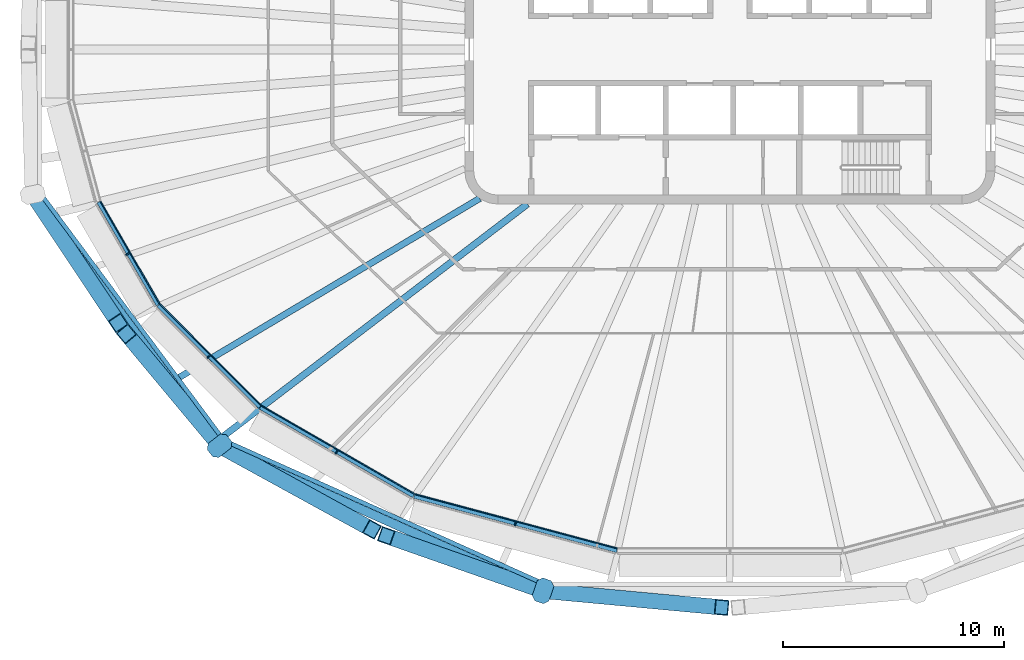
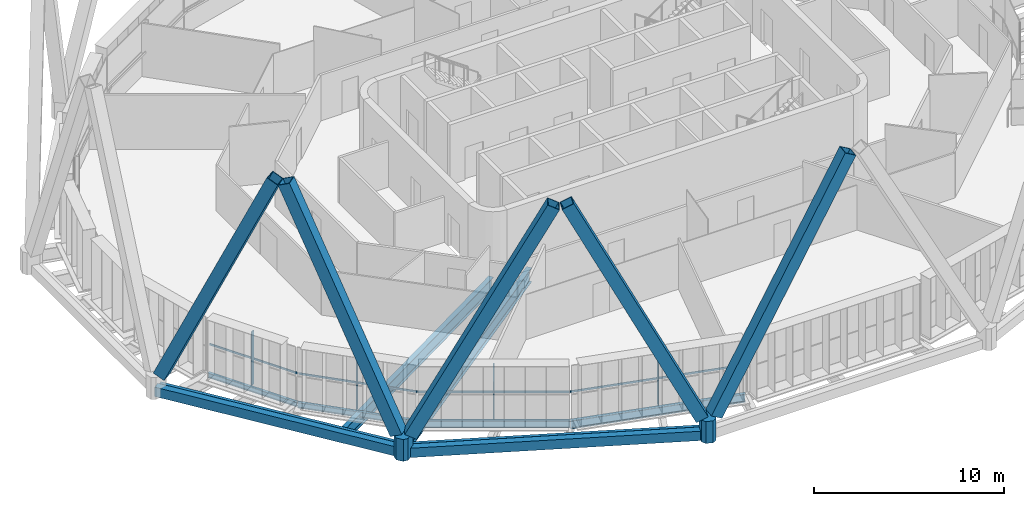
# One storey, part 1 of 20: 15 members, 10 beams, 4 elements without a shape of their own.
"""IFC4 building model written with IfcOpenShell, lengths in metres."""

import ifcopenshell
import ifcopenshell.guid

model = None  # the IFC model being written
_history = None  # IfcOwnerHistory: only IFC2X3 demands one
_inside = {}  # id of a spatial element -> (the spatial element, [elements in it])
_under = {}  # id of a project, library or spatial element -> (it, [spatial elements below it])
_declared = {}  # id of a project -> (the project, [libraries it declares])
_typed = {}  # id of a type object -> (the type object, [elements of that type])
_made_of = {}  # id of a material, layer set ... -> (it, [elements and type objects made of it])


def new_model(schema):
    """Start an empty IFC model of exactly this schema.

    Asked for "IFC4X3", IfcOpenShell would pick the latest addendum, in which some entities
    have other attributes; the version numbers below select the first issue.
    IFC2X3 requires an IfcOwnerHistory on every rooted entity: one is made here for all.
    """
    global model, _history
    if schema == "IFC4X3":
        model = ifcopenshell.file(schema_version=(4, 3, 0, 0))
    else:
        model = ifcopenshell.file(schema=schema)
    _inside.clear()
    _under.clear()
    _declared.clear()
    _typed.clear()
    _made_of.clear()
    _history = None
    if model.schema == "IFC2X3":
        org = make("IfcOrganization", Name="unknown")
        user = make(
            "IfcPersonAndOrganization",
            ThePerson=make("IfcPerson", FamilyName="unknown"),
            TheOrganization=org,
        )
        app = make(
            "IfcApplication",
            ApplicationDeveloper=org,
            Version="unknown",
            ApplicationFullName="unknown",
            ApplicationIdentifier="unknown",
        )
        _history = make(
            "IfcOwnerHistory",
            OwningUser=user,
            OwningApplication=app,
            ChangeAction="ADDED",
            CreationDate=0,
        )
    return model


def make(cls, **values):
    """One entity of the class cls with the attributes given. An attribute that is None is left unset."""
    return model.create_entity(
        cls, **{name: value for name, value in values.items() if value is not None}
    )


def rooted(cls, **values):
    """An entity with a GlobalId (a new one), such as an element, a storey or a relation."""
    return make(cls, GlobalId=ifcopenshell.guid.new(), OwnerHistory=_history, **values)


def si_unit(unit_type, name, prefix=None):
    """IfcSIUnit, for example si_unit("LENGTHUNIT", "METRE", prefix="MILLI")."""
    return make("IfcSIUnit", UnitType=unit_type, Prefix=prefix, Name=name)


def assignment(units):
    """IfcUnitAssignment: the units of a project."""
    return None if units is None else make("IfcUnitAssignment", Units=units)


def point(xyz):
    """IfcCartesianPoint."""
    return None if xyz is None else make("IfcCartesianPoint", Coordinates=xyz)


def direction(xyz):
    """IfcDirection."""
    return None if xyz is None else make("IfcDirection", DirectionRatios=xyz)


def frame(location, z_axis=None, x_axis=None):
    """IfcAxis2Placement3D, a coordinate frame: its origin and axes. An axis left out is left unset."""
    return make(
        "IfcAxis2Placement3D",
        Location=point(location),
        Axis=direction(z_axis),
        RefDirection=direction(x_axis),
    )


def frame_2d(location, x_axis=None):
    """IfcAxis2Placement2D, a coordinate frame in the plane: its origin and x axis."""
    return make(
        "IfcAxis2Placement2D", Location=point(location), RefDirection=direction(x_axis)
    )


def origin():
    """The frame at (0, 0, 0) with its axes left unset."""
    return frame((0.0, 0.0, 0.0))


def origin_2d():
    """The frame at (0, 0) in the plane with its x axis left unset."""
    return frame_2d((0.0, 0.0))


def place(relative_to, where):
    """IfcLocalPlacement: puts the frame where relative to a parent placement (None: the world)."""
    return make(
        "IfcLocalPlacement", PlacementRelTo=relative_to, RelativePlacement=where
    )


def context(
    kind, dimensions, precision=None, world=None, true_north=None, identifier=None
):
    """IfcGeometricRepresentationContext, for example the 3D "Model" context."""
    return make(
        "IfcGeometricRepresentationContext",
        ContextIdentifier=identifier,
        ContextType=kind,
        CoordinateSpaceDimension=dimensions,
        Precision=precision,
        WorldCoordinateSystem=world,
        TrueNorth=true_north,
    )


def subcontext(parent, identifier, kind, view, scale=None):
    """IfcGeometricRepresentationSubContext, for example "Body" below "Model"."""
    return make(
        "IfcGeometricRepresentationSubContext",
        ContextIdentifier=identifier,
        ContextType=kind,
        ParentContext=parent,
        TargetScale=scale,
        TargetView=view,
    )


def project(units=None, contexts=None):
    """IfcProject with its units and contexts."""
    return rooted(
        "IfcProject",
        Name="project",
        RepresentationContexts=contexts,
        UnitsInContext=assignment(units),
    )


def spatial(cls, under=None, at=None, **own):
    """A site, building, storey or space (cls), placed at a placement, below another one or the project."""
    s = rooted(cls, ObjectPlacement=at, **own)
    if under is not None:
        _under.setdefault(under.id(), (under, []))[1].append(s)
    return s


def polyline(points):
    """IfcPolyline through the points."""
    return make("IfcPolyline", Points=[point(p) for p in points])


def profile(cls, at=None, kind="AREA", **sizes):
    """A parametric profile (cls). Its sizes go by their IFC names, for example OverallWidth=200.0."""
    return make(cls, ProfileType=kind, Position=at, **sizes)


def rectangle(**sizes):
    """IfcRectangleProfileDef."""
    return profile("IfcRectangleProfileDef", **sizes)


def hollow_rectangle(**sizes):
    """IfcRectangleHollowProfileDef."""
    return profile("IfcRectangleHollowProfileDef", **sizes)


def i_section(**sizes):
    """IfcIShapeProfileDef."""
    return profile("IfcIShapeProfileDef", **sizes)


def outline(outer, holes=None, kind="AREA"):
    """IfcArbitraryClosedProfileDef: a profile drawn as a closed curve; with holes, ...WithVoids."""
    if holes is None:
        return make("IfcArbitraryClosedProfileDef", ProfileType=kind, OuterCurve=outer)
    return make(
        "IfcArbitraryProfileDefWithVoids",
        ProfileType=kind,
        OuterCurve=outer,
        InnerCurves=holes,
    )


def extrude(swept, where, along, depth):
    """IfcExtrudedAreaSolid: the profile swept, set in the frame where, extruded along a direction by depth."""
    return make(
        "IfcExtrudedAreaSolid",
        SweptArea=swept,
        Position=where,
        ExtrudedDirection=direction(along),
        Depth=depth,
    )


def shape(context_of_items, identifier, shape_type, items):
    """IfcShapeRepresentation: the items that make up one representation, for example the "Body"."""
    return make(
        "IfcShapeRepresentation",
        ContextOfItems=context_of_items,
        RepresentationIdentifier=identifier,
        RepresentationType=shape_type,
        Items=items,
    )


def material(Name=None, Category=None):
    """IfcMaterial."""
    return make("IfcMaterial", Name=Name, Category=Category)


def layer(
    of_material, thickness, ventilated=None, Name=None, Category=None, Priority=None
):
    """IfcMaterialLayer: one layer of a wall or slab, of a material (None: an air gap)."""
    return make(
        "IfcMaterialLayer",
        Material=of_material,
        LayerThickness=thickness,
        IsVentilated=ventilated,
        Name=Name,
        Category=Category,
        Priority=Priority,
    )


def layer_set(layers, Name=None):
    """IfcMaterialLayerSet."""
    return make("IfcMaterialLayerSet", MaterialLayers=layers, LayerSetName=Name)


def material_profile(
    of_material, cross_section, Name=None, Category=None, Priority=None
):
    """IfcMaterialProfile: a cross section and its material."""
    return make(
        "IfcMaterialProfile",
        Name=Name,
        Material=of_material,
        Profile=cross_section,
        Priority=Priority,
        Category=Category,
    )


def profile_set(profiles, Name=None, composite=None):
    """IfcMaterialProfileSet."""
    return make(
        "IfcMaterialProfileSet",
        Name=Name,
        MaterialProfiles=profiles,
        CompositeProfile=composite,
    )


def made_of(thing, what):
    """Note that an element or type object is made of a material, layer set ...; save() writes the relation."""
    if what is not None:
        _made_of.setdefault(what.id(), (what, []))[1].append(thing)
    return thing


def type_object(cls, material=None, **own):
    """A type object (cls), such as IfcWallType, which elements share."""
    return made_of(rooted(cls, **own), material)


def element(
    cls,
    number,
    at=None,
    inside=None,
    cuts=None,
    type_object=None,
    material=None,
    context=None,
    identifier="Body",
    shape_type=None,
    held_by="IfcProductDefinitionShape",
    body=None,
    shapes=None,
    **own,
):
    """One element of the class cls, such as IfcWall. Its Tag is "e" and its number.

    at: its placement. inside: the storey or other place that contains it. cuts: it is an
    opening in that element (IfcRelVoidsElement). A single representation is given by context,
    identifier, shape_type and body (its items); several are given by shapes. held_by: the class
    of the entity that holds the representations. save() writes the other relations.
    """
    e = rooted(cls, Tag="e%d" % number, ObjectPlacement=at, **own)
    if body is not None:
        shapes = [shape(context, identifier, shape_type, body)]
    if shapes is not None:
        e.Representation = make(held_by, Representations=shapes)
    if inside is not None:
        _inside.setdefault(inside.id(), (inside, []))[1].append(e)
    if cuts is not None:
        rooted(
            "IfcRelVoidsElement", RelatingBuildingElement=cuts, RelatedOpeningElement=e
        )
    if type_object is not None:
        _typed.setdefault(type_object.id(), (type_object, []))[1].append(e)
    return made_of(e, material)


def aggregate(whole, parts):
    """IfcRelAggregates: a whole, such as a stair, and the parts it consists of."""
    return rooted("IfcRelAggregates", RelatingObject=whole, RelatedObjects=parts)


def save(model, path):
    """Write the relations noted so far, then the file.

    IfcRelAggregates (storeys below a building ...), IfcRelContainedInSpatialStructure (elements
    in a storey), IfcRelDefinesByType, IfcRelAssociatesMaterial and IfcRelDeclares: one each for
    every whole, place, type object, material and project.
    """
    for whole, parts in _under.values():
        aggregate(whole, parts)
    for where, things in _inside.values():
        rooted(
            "IfcRelContainedInSpatialStructure",
            RelatedElements=things,
            RelatingStructure=where,
        )
    for kind, things in _typed.values():
        rooted("IfcRelDefinesByType", RelatedObjects=things, RelatingType=kind)
    for what, things in _made_of.values():
        rooted("IfcRelAssociatesMaterial", RelatedObjects=things, RelatingMaterial=what)
    for by, libraries in _declared.values():
        rooted("IfcRelDeclares", RelatingContext=by, RelatedDefinitions=libraries)
    model.write(path)


model = new_model("IFC4")

# Units and contexts
model_context = context("Model", 3, precision=1e-05, world=origin(), true_north=direction((0.0, 1.0)))
body_context = subcontext(model_context, "Body", "Model", "MODEL_VIEW")
ifc_project = project(units=[si_unit("LENGTHUNIT", "METRE"), si_unit("AREAUNIT", "SQUARE_METRE"), si_unit("VOLUMEUNIT", "CUBIC_METRE"), si_unit("PLANEANGLEUNIT", "RADIAN"), si_unit("MASSUNIT", "GRAM", prefix="KILO")], contexts=[model_context])

# Site, building, storey
site_placement = place(None, origin())
site = spatial("IfcSite", under=ifc_project, at=site_placement, CompositionType="ELEMENT")
building_placement = place(site_placement, origin())
building = spatial("IfcBuilding", under=site, at=building_placement, Name="Sahrelin Media Tower", CompositionType="ELEMENT")
storey_placement = place(building_placement, frame((0.0, 0.0, 267.0)))
storey = spatial("IfcBuildingStorey", under=building, at=storey_placement, Name="L58", CompositionType="ELEMENT", Elevation=267.0)

# Members
ifc_material_1 = material(Name="Steel S460", Category="steel")
ifc_material_profile_1 = material_profile(ifc_material_1, hollow_rectangle(XDim=0.699951171875, YDim=0.699951171875, WallThickness=0.0400390625, at=origin_2d()), Name="Diagrid diagonal DG7")
ifc_profile_set_1 = profile_set([ifc_material_profile_1], Name="Steel S460")
member_type_1 = type_object("IfcMemberType", Name="Diagrid diagonal DG7", PredefinedType="BRACE", material=ifc_profile_set_1)
member_1_placement = place(storey_placement, frame((-31.37353515625, -6.832275390625, 0.699951171875), z_axis=(0.230056417556, -0.345639877226, 0.909729146511), x_axis=(0.832461543053, 0.554082827146, 0.0)))
element("IfcMember", 1, at=member_1_placement, inside=storey, type_object=member_type_1, Name="Diagrid diagonal D13-13", PredefinedType="BRACE", context=body_context, shape_type="SweptSolid", body=[
    extrude(hollow_rectangle(XDim=0.699951171875, YDim=0.699951171875, WallThickness=0.0400390625, at=origin_2d()), origin(), (0.0, 0.0, 1.0), 16.048828125),
])
member_2_placement = place(storey_placement, frame((-23.28955078125, -17.7080078125, 0.699951171875), z_axis=(-0.253020215996, 0.303919147392, 0.918484579155), x_axis=(-0.768526802736, -0.639817593909, 0.0)))
element("IfcMember", 2, at=member_2_placement, inside=storey, type_object=member_type_1, Name="Diagrid diagonal D13-14", PredefinedType="BRACE", context=body_context, shape_type="SweptSolid", body=[
    extrude(hollow_rectangle(XDim=0.699951171875, YDim=0.699951171875, WallThickness=0.0400390625, at=origin_2d()), origin(), (0.0, 0.0, 1.0), 15.895751953125),
])
member_3_placement = place(storey_placement, frame((-22.781005859375, -18.11279296875, 0.699951171875), z_axis=(0.401082737741, -0.220220071499, 0.889177011396), x_axis=(0.481288676919, 0.876562153797, 0.0)))
element("IfcMember", 3, at=member_3_placement, inside=storey, type_object=member_type_1, Name="Diagrid diagonal D13-15", PredefinedType="BRACE", context=body_context, shape_type="SweptSolid", body=[
    extrude(hollow_rectangle(XDim=0.699951171875, YDim=0.699951171875, WallThickness=0.0400390625, at=origin_2d()), origin(), (0.0, 0.0, 1.0), 16.419677734375),
])
member_4_placement = place(storey_placement, frame((-8.77880859375, -24.391845703125, 0.699951171875), z_axis=(-0.416459406995, 0.146017384502, 0.897351929707), x_axis=(-0.330868348448, -0.943676923526, 0.0)))
element("IfcMember", 4, at=member_4_placement, inside=storey, type_object=member_type_1, Name="Diagrid diagonal D13-16", PredefinedType="BRACE", context=body_context, shape_type="SweptSolid", body=[
    extrude(hollow_rectangle(XDim=0.699951171875, YDim=0.699951171875, WallThickness=0.0400390625, at=origin_2d()), origin(), (0.0, 0.0, 1.0), 16.270263671875),
])
member_5_placement = place(storey_placement, frame((-8.083984375, -24.5400390625, 0.699951171875), z_axis=(0.466722756786, -0.043323665084, 0.883341909083), x_axis=(0.092427918345, 0.995719378093, 0.0)))
element("IfcMember", 5, at=member_5_placement, inside=storey, type_object=member_type_1, Name="Diagrid diagonal D13-17", PredefinedType="BRACE", context=body_context, shape_type="SweptSolid", body=[
    extrude(hollow_rectangle(XDim=0.699951171875, YDim=0.699951171875, WallThickness=0.0400390625, at=origin_2d()), origin(), (0.0, 0.0, 1.0), 16.5283203125),
])
ifc_material_profile_2 = material_profile(ifc_material_1, outline(polyline([(0.35009765625, -0.39990234375), (0.550048828125, -0.199951171875), (0.550048828125, 0.199951171875), (0.35009765625, 0.39990234375), (-0.35009765625, 0.39990234375), (-0.550048828125, 0.199951171875), (-0.550048828125, -0.199951171875), (-0.35009765625, -0.39990234375), (0.35009765625, -0.39990234375)])), Name="Diagrid node block 1100")
ifc_profile_set_2 = profile_set([ifc_material_profile_2], Name="Steel S460")
member_type_2 = type_object("IfcMemberType", Name="Diagrid node block 1100", PredefinedType="USERDEFINED", material=ifc_profile_set_2)
for number, where, z_axis, x_axis, name in (
    (6, (-23.0966796875, -17.939453125, -0.699951171875), (0.0, 0.0, 1.0), (-0.789760120156, -0.613415807272, 0.0), "Diagrid node N13-07"),
    (7, (-8.4541015625, -24.505859375, -0.699951171875), (0.0, 0.0, 1.0), (-0.326119279679, -0.945328628267, 0.0), "Diagrid node N13-08"),
):
    element("IfcMember", number, at=place(storey_placement, frame(where, z_axis=z_axis, x_axis=x_axis)), inside=storey, type_object=member_type_2, Name=name, ObjectType="NODE", PredefinedType="USERDEFINED", context=body_context, shape_type="SweptSolid", body=[
        extrude(outline(polyline([(0.35009765625, -0.39990234375), (0.550048828125, -0.199951171875), (0.550048828125, 0.199951171875), (0.35009765625, 0.39990234375), (-0.35009765625, 0.39990234375), (-0.550048828125, 0.199951171875), (-0.550048828125, -0.199951171875), (-0.35009765625, -0.39990234375), (0.35009765625, -0.39990234375)])), origin(), (0.0, 0.0, 1.0), 1.39990234375),
    ])

# Beams
ifc_material_profile_3 = material_profile(ifc_material_1, hollow_rectangle(XDim=0.39990234375, YDim=0.60009765625, WallThickness=0.030029296875, at=origin_2d()), Name="Diagrid ring beam RB1")
ifc_profile_set_3 = profile_set([ifc_material_profile_3], Name="Steel S460")
beam_type_1 = type_object("IfcBeamType", Name="Diagrid ring beam RB1", PredefinedType="BEAM", material=ifc_profile_set_3)
beam_1_placement = place(storey_placement, frame((-31.550537109375, -6.56640625, -0.449951171875), z_axis=(0.596565361307, -0.802564495657, 0.0), x_axis=(0.802564495657, 0.596565361307, 0.0)))
element("IfcBeam", 8, at=beam_1_placement, inside=storey, type_object=beam_type_1, Name="Diagrid ring beam RB13-06", PredefinedType="BEAM", context=body_context, shape_type="SweptSolid", body=[
    extrude(hollow_rectangle(XDim=0.39990234375, YDim=0.60009765625, WallThickness=0.030029296875, at=origin_2d()), origin(), (0.0, 0.0, 1.0), 14.1708984375),
])
beam_2_placement = place(storey_placement, frame((-23.0966796875, -17.939453125, -0.449951171875), z_axis=(0.912451353014, -0.409185200591, 0.0), x_axis=(0.409185200591, 0.912451353014, 0.0)))
element("IfcBeam", 9, at=beam_2_placement, inside=storey, type_object=beam_type_1, Name="Diagrid ring beam RB13-07", PredefinedType="BEAM", context=body_context, shape_type="SweptSolid", body=[
    extrude(hollow_rectangle(XDim=0.39990234375, YDim=0.60009765625, WallThickness=0.030029296875, at=origin_2d()), origin(), (0.0, 0.0, 1.0), 16.047607421875),
])
ifc_material_2 = material(Name="Steel S355", Category="steel")
ifc_material_profile_4 = material_profile(ifc_material_2, i_section(OverallWidth=0.1650390625, OverallDepth=0.303466796875, WebThickness=0.006103515625, FlangeThickness=0.01025390625, FilletRadius=0.0087890625, at=origin_2d()), Name="UB 305x165x40")
ifc_profile_set_4 = profile_set([ifc_material_profile_4], Name="Steel S355")
beam_type_2 = type_object("IfcBeamType", Name="Edge beam EB2", PredefinedType="BEAM", material=ifc_profile_set_4)
beam_3_placement = place(storey_placement, frame((-25.882568359375, -11.572021484375, -0.3017578125), z_axis=(-0.500009192644, 0.866020096344, 0.0), x_axis=(-0.866020096344, -0.500009192644, 0.0)))
element("IfcBeam", 10, at=beam_3_placement, inside=storey, type_object=beam_type_2, Name="Edge beam L58-08", PredefinedType="BEAM", context=body_context, shape_type="SweptSolid", body=[
    extrude(i_section(OverallWidth=0.1650390625, OverallDepth=0.303466796875, WebThickness=0.006103515625, FlangeThickness=0.01025390625, FilletRadius=0.0087890625, at=origin_2d()), origin(), (0.0, 0.0, 1.0), 5.38037109375),
])
ifc_material_profile_5 = material_profile(ifc_material_2, i_section(OverallWidth=0.17138671875, OverallDepth=0.35498046875, WebThickness=0.00732421875, FlangeThickness=0.011474609375, FilletRadius=0.01025390625, at=origin_2d()), Name="UB 356x171x51")
ifc_profile_set_5 = profile_set([ifc_material_profile_5], Name="Steel S355")
beam_type_3 = type_object("IfcBeamType", Name="Edge beam EB3", PredefinedType="BEAM", material=ifc_profile_set_5)
beam_4_placement = place(storey_placement, frame((-21.2763671875, -16.18359375, -0.327392578125), z_axis=(-0.707087970402, 0.70712559147, 0.0), x_axis=(-0.70712559147, -0.707087970402, 0.0)))
element("IfcBeam", 11, at=beam_4_placement, inside=storey, type_object=beam_type_3, Name="Edge beam L58-07", PredefinedType="BEAM", context=body_context, shape_type="SweptSolid", body=[
    extrude(i_section(OverallWidth=0.17138671875, OverallDepth=0.35498046875, WebThickness=0.00732421875, FlangeThickness=0.011474609375, FilletRadius=0.01025390625, at=origin_2d()), origin(), (0.0, 0.0, 1.0), 6.489501953125),
])
ifc_material_profile_6 = material_profile(ifc_material_2, i_section(OverallWidth=0.1904296875, OverallDepth=0.45703125, WebThickness=0.009033203125, FlangeThickness=0.014404296875, FilletRadius=0.01025390625, at=origin_2d()), Name="UB 457x191x74")
ifc_profile_set_6 = profile_set([ifc_material_profile_6], Name="Steel S355")
beam_type_4 = type_object("IfcBeamType", Name="Edge beam EB5", PredefinedType="BEAM", material=ifc_profile_set_6)
beam_5_placement = place(storey_placement, frame((-14.318115234375, -20.205078125, -0.37841796875), z_axis=(-0.866022619654, 0.500004822225, 0.0), x_axis=(-0.500004822225, -0.866022619654, 0.0)))
element("IfcBeam", 12, at=beam_5_placement, inside=storey, type_object=beam_type_4, Name="Edge beam L58-06", PredefinedType="BEAM", context=body_context, shape_type="SweptSolid", body=[
    extrude(i_section(OverallWidth=0.1904296875, OverallDepth=0.45703125, WebThickness=0.009033203125, FlangeThickness=0.014404296875, FilletRadius=0.01025390625, at=origin_2d()), origin(), (0.0, 0.0, 1.0), 8.00830078125),
])
ifc_material_profile_7 = material_profile(ifc_material_2, i_section(OverallWidth=0.208740234375, OverallDepth=0.5283203125, WebThickness=0.009521484375, FlangeThickness=0.01318359375, FilletRadius=0.0126953125, at=origin_2d()), Name="UB 533x210x82")
ifc_profile_set_7 = profile_set([ifc_material_profile_7], Name="Steel S355")
beam_type_5 = type_object("IfcBeamType", Name="Edge beam EB6", PredefinedType="BEAM", material=ifc_profile_set_7)
beam_6_placement = place(storey_placement, frame((-5.1103515625, -22.67626953125, -0.4140625), z_axis=(-0.965929019762, 0.258807126605, 0.0), x_axis=(-0.258807126605, -0.965929019762, 0.0)))
element("IfcBeam", 13, at=beam_6_placement, inside=storey, type_object=beam_type_5, Name="Edge beam L58-05", PredefinedType="BEAM", context=body_context, shape_type="SweptSolid", body=[
    extrude(i_section(OverallWidth=0.208740234375, OverallDepth=0.5283203125, WebThickness=0.009521484375, FlangeThickness=0.01318359375, FilletRadius=0.0126953125, at=origin_2d()), origin(), (0.0, 0.0, 1.0), 9.5048828125),
])

# Curtain wall, member
ifc_material_3 = material(Name="Champagne anodised aluminium 6063-T6", Category="aluminium")
ifc_layer = layer(ifc_material_3, 0.14990234375)
ifc_layer_set = layer_set([ifc_layer], Name="Tower ribbon curtain wall")
curtain_wall_type = type_object("IfcCurtainWallType", Name="Tower ribbon curtain wall", PredefinedType="NOTDEFINED", material=ifc_layer_set)
curtain_wall_1_placement = place(storey_placement, frame((-27.357666015625, -9.3173828125, 0.0), z_axis=(0.0, 0.0, 1.0), x_axis=(1.0, 0.0, 0.0)))
curtain_wall_1 = element("IfcCurtainWall", 14, at=curtain_wall_1_placement, inside=storey, type_object=curtain_wall_type, Name="L58:CW:L58-14", PredefinedType="NOTDEFINED")
ifc_material_profile_8 = material_profile(ifc_material_3, rectangle(XDim=0.06005859375, YDim=0.199951171875, at=origin_2d()), Name="Mullion 60x200")
ifc_profile_set_8 = profile_set([ifc_material_profile_8], Name="Champagne anodised aluminium 6063-T6")
member_type_3 = type_object("IfcMemberType", Name="Mullion 60x200 CW1C", PredefinedType="MULLION", material=ifc_profile_set_8)
member_6_placement = place(storey_placement, frame((-27.253662109375, -9.257080078125, 0.0), z_axis=(0.0, 0.0, 1.0), x_axis=(0.500007557478, -0.866021040428, 0.0)))
member_6 = element("IfcMember", 15, at=member_6_placement, type_object=member_type_3, Name="L58:CWM:L58-14", PredefinedType="MULLION", context=body_context, shape_type="SweptSolid", body=[
    extrude(rectangle(XDim=0.06005859375, YDim=0.199951171875, at=origin_2d()), origin(), (0.0, 0.0, 1.0), 3.448486328125),
])

curtain_wall_2_placement = place(storey_placement, frame((-23.6767578125, -13.9951171875, 0.0), z_axis=(0.0, 0.0, 1.0), x_axis=(1.0, 0.0, 0.0)))
curtain_wall_2 = element("IfcCurtainWall", 16, at=curtain_wall_2_placement, inside=storey, type_object=curtain_wall_type, Name="L58:CW:L58-15", PredefinedType="NOTDEFINED")
member_7_placement = place(storey_placement, frame((-23.591796875, -13.910400390625, 0.0), z_axis=(0.0, 0.0, 1.0), x_axis=(0.707106781187, -0.707106781187, 0.0)))
member_7 = element("IfcMember", 17, at=member_7_placement, type_object=member_type_3, Name="L58:CWM:L58-15", PredefinedType="MULLION", context=body_context, shape_type="SweptSolid", body=[
    extrude(rectangle(XDim=0.06005859375, YDim=0.199951171875, at=origin_2d()), origin(), (0.0, 0.0, 1.0), 3.448486328125),
])

curtain_wall_3_placement = place(storey_placement, frame((-17.86083984375, -18.3330078125, 0.0), z_axis=(0.0, 0.0, 1.0), x_axis=(1.0, 0.0, 0.0)))
curtain_wall_3 = element("IfcCurtainWall", 18, at=curtain_wall_3_placement, inside=storey, type_object=curtain_wall_type, Name="L58:CW:L58-16", PredefinedType="NOTDEFINED")
member_8_placement = place(storey_placement, frame((-17.80078125, -18.22900390625, 0.0), z_axis=(0.0, 0.0, 1.0), x_axis=(0.866025403784, -0.5, 0.0)))
member_8 = element("IfcMember", 19, at=member_8_placement, type_object=member_type_3, Name="L58:CWM:L58-16", PredefinedType="MULLION", context=body_context, shape_type="SweptSolid", body=[
    extrude(rectangle(XDim=0.06005859375, YDim=0.199951171875, at=origin_2d()), origin(), (0.0, 0.0, 1.0), 3.448486328125),
])

curtain_wall_4_placement = place(storey_placement, frame((-9.73974609375, -21.59130859375, 0.0), z_axis=(0.0, 0.0, 1.0), x_axis=(1.0, 0.0, 0.0)))
curtain_wall_4 = element("IfcCurtainWall", 20, at=curtain_wall_4_placement, inside=storey, type_object=curtain_wall_type, Name="L58:CW:L58-17", PredefinedType="NOTDEFINED")
member_9_placement = place(storey_placement, frame((-9.708740234375, -21.47509765625, 0.0), z_axis=(0.0, 0.0, 1.0), x_axis=(0.965924922834, -0.258822416818, 0.0)))
member_9 = element("IfcMember", 21, at=member_9_placement, type_object=member_type_3, Name="L58:CWM:L58-17", PredefinedType="MULLION", context=body_context, shape_type="SweptSolid", body=[
    extrude(rectangle(XDim=0.06005859375, YDim=0.199951171875, at=origin_2d()), origin(), (0.0, 0.0, 1.0), 3.448486328125),
])

# Beams
ifc_material_profile_9 = material_profile(ifc_material_2, i_section(OverallWidth=0.30322265625, OverallDepth=0.903076171875, WebThickness=0.01513671875, FlangeThickness=0.020263671875, FilletRadius=0.01904296875, at=origin_2d()), Name="UB 914x305x201")
ifc_profile_set_9 = profile_set([ifc_material_profile_9], Name="Steel S355")
beam_type_6 = type_object("IfcBeamType", Name="Radial primary beam PB11", PredefinedType="BEAM", material=ifc_profile_set_9)
beam_7_placement = place(storey_placement, frame((-9.16455078125, -7.0, -0.6015625), z_axis=(-0.794694720447, -0.607009309067, 0.0), x_axis=(0.607009309067, -0.794694720447, 0.0)))
element("IfcBeam", 22, at=beam_7_placement, inside=storey, type_object=beam_type_6, Name="Radial beam L58-16", PredefinedType="BEAM", context=body_context, shape_type="SweptSolid", body=[
    extrude(i_section(OverallWidth=0.30322265625, OverallDepth=0.903076171875, WebThickness=0.01513671875, FlangeThickness=0.020263671875, FilletRadius=0.01904296875, at=origin_2d()), origin(), (0.0, 0.0, 1.0), 17.313720703125),
])
ifc_material_profile_10 = material_profile(ifc_material_2, i_section(OverallWidth=0.291748046875, OverallDepth=0.8349609375, WebThickness=0.013916015625, FlangeThickness=0.018798828125, FilletRadius=0.017822265625, at=origin_2d()), Name="UB 838x292x176")
ifc_profile_set_10 = profile_set([ifc_material_profile_10], Name="Steel S355")
beam_type_7 = type_object("IfcBeamType", Name="Radial secondary beam SB10", PredefinedType="BEAM", material=ifc_profile_set_10)
beam_8_placement = place(storey_placement, frame((-11.32177734375, -6.743896484375, -0.5673828125), z_axis=(-0.859123060499, -0.511769056234, 0.0), x_axis=(0.511769056234, -0.859123060499, 0.0)))
element("IfcBeam", 23, at=beam_8_placement, inside=storey, type_object=beam_type_7, Name="Secondary beam L58-15", PredefinedType="BEAM", context=body_context, shape_type="SweptSolid", body=[
    extrude(i_section(OverallWidth=0.291748046875, OverallDepth=0.8349609375, WebThickness=0.013916015625, FlangeThickness=0.018798828125, FilletRadius=0.017822265625, at=origin_2d()), origin(), (0.0, 0.0, 1.0), 15.815673828125),
])
ifc_material_profile_11 = material_profile(ifc_material_2, i_section(OverallWidth=0.1904296875, OverallDepth=0.45703125, WebThickness=0.009033203125, FlangeThickness=0.014404296875, FilletRadius=0.01025390625, at=origin_2d()), Name="UB 457x191x74")
ifc_profile_set_11 = profile_set([ifc_material_profile_11], Name="Steel S355")
beam_type_8 = type_object("IfcBeamType", Name="Tie chord TC5", PredefinedType="BEAM", material=ifc_profile_set_11)
beam_9_placement = place(storey_placement, frame((-8.389892578125, -24.20556640625, -0.37841796875), z_axis=(-0.91245379845, 0.409179747414, 0.0), x_axis=(-0.409179747414, -0.91245379845, 0.0)))
element("IfcBeam", 24, at=beam_9_placement, inside=storey, type_object=beam_type_8, Name="Tie chord L58-05", PredefinedType="BEAM", context=body_context, shape_type="SweptSolid", body=[
    extrude(i_section(OverallWidth=0.1904296875, OverallDepth=0.45703125, WebThickness=0.009033203125, FlangeThickness=0.014404296875, FilletRadius=0.01025390625, at=origin_2d()), origin(), (0.0, 0.0, 1.0), 15.905029296875),
])
beam_10_placement = place(storey_placement, frame((-22.902587890625, -17.697509765625, -0.37841796875), z_axis=(-0.596558144765, 0.802569859835, 0.0), x_axis=(-0.802569859835, -0.596558144765, 0.0)))
element("IfcBeam", 25, at=beam_10_placement, inside=storey, type_object=beam_type_8, Name="Tie chord L58-06", PredefinedType="BEAM", context=body_context, shape_type="SweptSolid", body=[
    extrude(i_section(OverallWidth=0.1904296875, OverallDepth=0.45703125, WebThickness=0.009033203125, FlangeThickness=0.014404296875, FilletRadius=0.01025390625, at=origin_2d()), origin(), (0.0, 0.0, 1.0), 13.993408203125),
])

# Member
ifc_material_profile_12 = material_profile(ifc_material_3, rectangle(XDim=0.050048828125, YDim=0.1201171875, at=origin_2d()), Name="Transom 50x120")
ifc_profile_set_12 = profile_set([ifc_material_profile_12], Name="Champagne anodised aluminium 6063-T6")
member_type_4 = type_object("IfcMemberType", Name="Transom 50x120 CW1C", PredefinedType="USERDEFINED", material=ifc_profile_set_12)
member_10_placement = place(storey_placement, frame((-28.482666015625, -6.878662109375, 1.60009765625), z_axis=(0.500031950903, -0.866006956136, 0.0), x_axis=(0.866006956136, 0.500031950903, 0.0)))
member_10 = element("IfcMember", 26, at=member_10_placement, type_object=member_type_4, Name="L58:CWT:L58-14", ObjectType="TRANSOM", PredefinedType="USERDEFINED", context=body_context, shape_type="SweptSolid", body=[
    extrude(rectangle(XDim=0.050048828125, YDim=0.1201171875, at=origin_2d()), origin(), (0.0, 0.0, 1.0), 5.348876953125),
])

aggregate(curtain_wall_1, [member_6, member_10])

member_11_placement = place(storey_placement, frame((-25.786865234375, -11.538818359375, 1.60009765625), z_axis=(0.707125682984, -0.707087878884, 0.0), x_axis=(0.707087878884, 0.707125682984, 0.0)))
member_11 = element("IfcMember", 27, at=member_11_placement, type_object=member_type_4, Name="L58:CWT:L58-15", ObjectType="TRANSOM", PredefinedType="USERDEFINED", context=body_context, shape_type="SweptSolid", body=[
    extrude(rectangle(XDim=0.050048828125, YDim=0.1201171875, at=origin_2d()), origin(), (0.0, 0.0, 1.0), 6.4580078125),
])

aggregate(curtain_wall_2, [member_7, member_11])

member_12_placement = place(storey_placement, frame((-21.1923828125, -16.126708984375, 1.60009765625), z_axis=(0.866034723298, -0.499983857782, 0.0), x_axis=(0.499983857782, 0.866034723298, 0.0)))
member_12 = element("IfcMember", 28, at=member_12_placement, type_object=member_type_4, Name="L58:CWT:L58-16", ObjectType="TRANSOM", PredefinedType="USERDEFINED", context=body_context, shape_type="SweptSolid", body=[
    extrude(rectangle(XDim=0.050048828125, YDim=0.1201171875, at=origin_2d()), origin(), (0.0, 0.0, 1.0), 7.976806640625),
])

aggregate(curtain_wall_3, [member_8, member_12])

member_13_placement = place(storey_placement, frame((-14.251708984375, -20.12841796875, 1.60009765625), z_axis=(0.965921133563, -0.258836557961, 0.0), x_axis=(0.258836557961, 0.965921133563, 0.0)))
member_13 = element("IfcMember", 29, at=member_13_placement, type_object=member_type_4, Name="L58:CWT:L58-17", ObjectType="TRANSOM", PredefinedType="USERDEFINED", context=body_context, shape_type="SweptSolid", body=[
    extrude(rectangle(XDim=0.050048828125, YDim=0.1201171875, at=origin_2d()), origin(), (0.0, 0.0, 1.0), 9.4736328125),
])

aggregate(curtain_wall_4, [member_9, member_13])

save(model, "model.ifc")
